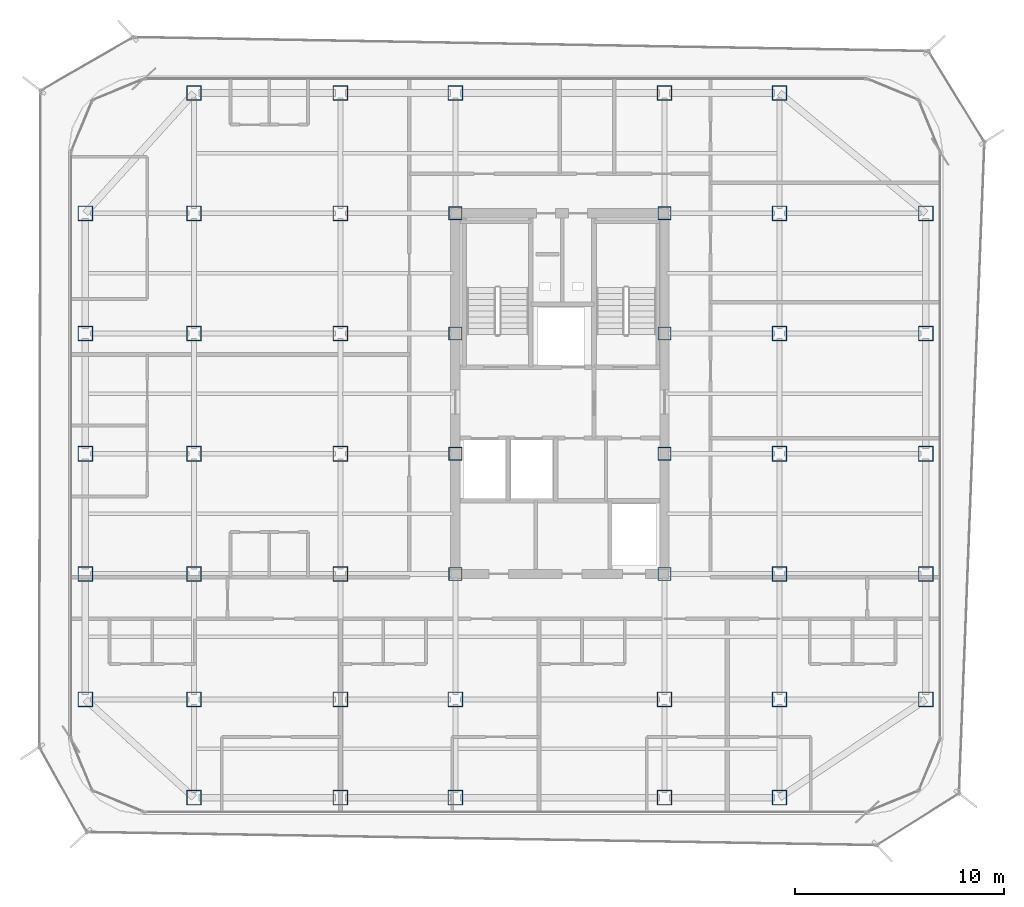
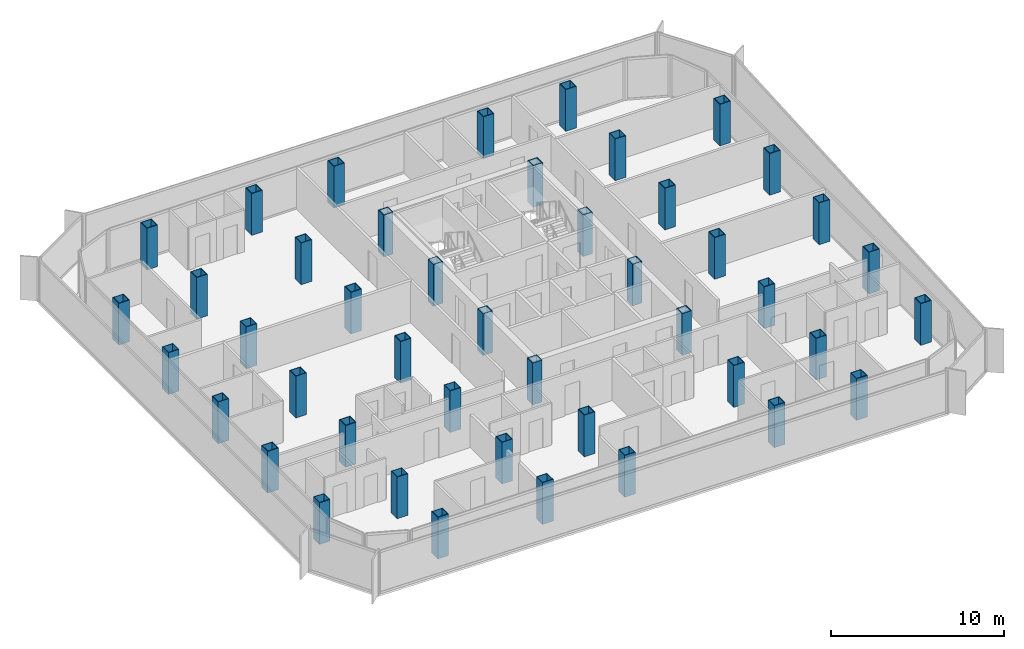
# One storey, part 1 of 16: 45 columns.
"""IFC4 building model written with IfcOpenShell, lengths in metres."""

import ifcopenshell
import ifcopenshell.guid

model = None  # the IFC model being written
_history = None  # IfcOwnerHistory: only IFC2X3 demands one
_inside = {}  # id of a spatial element -> (the spatial element, [elements in it])
_under = {}  # id of a project, library or spatial element -> (it, [spatial elements below it])
_declared = {}  # id of a project -> (the project, [libraries it declares])
_typed = {}  # id of a type object -> (the type object, [elements of that type])
_made_of = {}  # id of a material, layer set ... -> (it, [elements and type objects made of it])


def new_model(schema):
    """Start an empty IFC model of exactly this schema.

    Asked for "IFC4X3", IfcOpenShell would pick the latest addendum, in which some entities
    have other attributes; the version numbers below select the first issue.
    IFC2X3 requires an IfcOwnerHistory on every rooted entity: one is made here for all.
    """
    global model, _history
    if schema == "IFC4X3":
        model = ifcopenshell.file(schema_version=(4, 3, 0, 0))
    else:
        model = ifcopenshell.file(schema=schema)
    _inside.clear()
    _under.clear()
    _declared.clear()
    _typed.clear()
    _made_of.clear()
    _history = None
    if model.schema == "IFC2X3":
        org = make("IfcOrganization", Name="unknown")
        user = make(
            "IfcPersonAndOrganization",
            ThePerson=make("IfcPerson", FamilyName="unknown"),
            TheOrganization=org,
        )
        app = make(
            "IfcApplication",
            ApplicationDeveloper=org,
            Version="unknown",
            ApplicationFullName="unknown",
            ApplicationIdentifier="unknown",
        )
        _history = make(
            "IfcOwnerHistory",
            OwningUser=user,
            OwningApplication=app,
            ChangeAction="ADDED",
            CreationDate=0,
        )
    return model


def make(cls, **values):
    """One entity of the class cls with the attributes given. An attribute that is None is left unset."""
    return model.create_entity(
        cls, **{name: value for name, value in values.items() if value is not None}
    )


def rooted(cls, **values):
    """An entity with a GlobalId (a new one), such as an element, a storey or a relation."""
    return make(cls, GlobalId=ifcopenshell.guid.new(), OwnerHistory=_history, **values)


def si_unit(unit_type, name, prefix=None):
    """IfcSIUnit, for example si_unit("LENGTHUNIT", "METRE", prefix="MILLI")."""
    return make("IfcSIUnit", UnitType=unit_type, Prefix=prefix, Name=name)


def assignment(units):
    """IfcUnitAssignment: the units of a project."""
    return None if units is None else make("IfcUnitAssignment", Units=units)


def point(xyz):
    """IfcCartesianPoint."""
    return None if xyz is None else make("IfcCartesianPoint", Coordinates=xyz)


def direction(xyz):
    """IfcDirection."""
    return None if xyz is None else make("IfcDirection", DirectionRatios=xyz)


def frame(location, z_axis=None, x_axis=None):
    """IfcAxis2Placement3D, a coordinate frame: its origin and axes. An axis left out is left unset."""
    return make(
        "IfcAxis2Placement3D",
        Location=point(location),
        Axis=direction(z_axis),
        RefDirection=direction(x_axis),
    )


def frame_2d(location, x_axis=None):
    """IfcAxis2Placement2D, a coordinate frame in the plane: its origin and x axis."""
    return make(
        "IfcAxis2Placement2D", Location=point(location), RefDirection=direction(x_axis)
    )


def origin():
    """The frame at (0, 0, 0) with its axes left unset."""
    return frame((0.0, 0.0, 0.0))


def origin_2d():
    """The frame at (0, 0) in the plane with its x axis left unset."""
    return frame_2d((0.0, 0.0))


def place(relative_to, where):
    """IfcLocalPlacement: puts the frame where relative to a parent placement (None: the world)."""
    return make(
        "IfcLocalPlacement", PlacementRelTo=relative_to, RelativePlacement=where
    )


def context(
    kind, dimensions, precision=None, world=None, true_north=None, identifier=None
):
    """IfcGeometricRepresentationContext, for example the 3D "Model" context."""
    return make(
        "IfcGeometricRepresentationContext",
        ContextIdentifier=identifier,
        ContextType=kind,
        CoordinateSpaceDimension=dimensions,
        Precision=precision,
        WorldCoordinateSystem=world,
        TrueNorth=true_north,
    )


def subcontext(parent, identifier, kind, view, scale=None):
    """IfcGeometricRepresentationSubContext, for example "Body" below "Model"."""
    return make(
        "IfcGeometricRepresentationSubContext",
        ContextIdentifier=identifier,
        ContextType=kind,
        ParentContext=parent,
        TargetScale=scale,
        TargetView=view,
    )


def project(units=None, contexts=None):
    """IfcProject with its units and contexts."""
    return rooted(
        "IfcProject",
        Name="project",
        RepresentationContexts=contexts,
        UnitsInContext=assignment(units),
    )


def spatial(cls, under=None, at=None, **own):
    """A site, building, storey or space (cls), placed at a placement, below another one or the project."""
    s = rooted(cls, ObjectPlacement=at, **own)
    if under is not None:
        _under.setdefault(under.id(), (under, []))[1].append(s)
    return s


def profile(cls, at=None, kind="AREA", **sizes):
    """A parametric profile (cls). Its sizes go by their IFC names, for example OverallWidth=200.0."""
    return make(cls, ProfileType=kind, Position=at, **sizes)


def hollow_rectangle(**sizes):
    """IfcRectangleHollowProfileDef."""
    return profile("IfcRectangleHollowProfileDef", **sizes)


def extrude(swept, where, along, depth):
    """IfcExtrudedAreaSolid: the profile swept, set in the frame where, extruded along a direction by depth."""
    return make(
        "IfcExtrudedAreaSolid",
        SweptArea=swept,
        Position=where,
        ExtrudedDirection=direction(along),
        Depth=depth,
    )


def shape(context_of_items, identifier, shape_type, items):
    """IfcShapeRepresentation: the items that make up one representation, for example the "Body"."""
    return make(
        "IfcShapeRepresentation",
        ContextOfItems=context_of_items,
        RepresentationIdentifier=identifier,
        RepresentationType=shape_type,
        Items=items,
    )


def source(mapping_origin, context_of_items, identifier, shape_type, items):
    """IfcRepresentationMap: a shape defined once, which mapped items show again and again."""
    return make(
        "IfcRepresentationMap",
        MappingOrigin=mapping_origin,
        MappedRepresentation=shape(context_of_items, identifier, shape_type, items),
    )


def transform(
    local_origin,
    x_axis=None,
    y_axis=None,
    z_axis=None,
    scale=None,
    scale2=None,
    scale3=None,
    uniform=True,
):
    """IfcCartesianTransformationOperator3D, or its non-uniform kind. x_axis, y_axis, z_axis: its Axis1, 2, 3."""
    if uniform:
        return make(
            "IfcCartesianTransformationOperator3D",
            Axis1=direction(x_axis),
            Axis2=direction(y_axis),
            LocalOrigin=point(local_origin),
            Scale=scale,
            Axis3=direction(z_axis),
        )
    return make(
        "IfcCartesianTransformationOperator3DnonUniform",
        Axis1=direction(x_axis),
        Axis2=direction(y_axis),
        LocalOrigin=point(local_origin),
        Scale=scale,
        Axis3=direction(z_axis),
        Scale2=scale2,
        Scale3=scale3,
    )


def mapped(mapping_source, mapping_target):
    """IfcMappedItem: shows the shape of a source again, moved by a transform."""
    return make(
        "IfcMappedItem", MappingSource=mapping_source, MappingTarget=mapping_target
    )


def material(Name=None, Category=None):
    """IfcMaterial."""
    return make("IfcMaterial", Name=Name, Category=Category)


def material_profile(
    of_material, cross_section, Name=None, Category=None, Priority=None
):
    """IfcMaterialProfile: a cross section and its material."""
    return make(
        "IfcMaterialProfile",
        Name=Name,
        Material=of_material,
        Profile=cross_section,
        Priority=Priority,
        Category=Category,
    )


def profile_set(profiles, Name=None, composite=None):
    """IfcMaterialProfileSet."""
    return make(
        "IfcMaterialProfileSet",
        Name=Name,
        MaterialProfiles=profiles,
        CompositeProfile=composite,
    )


def made_of(thing, what):
    """Note that an element or type object is made of a material, layer set ...; save() writes the relation."""
    if what is not None:
        _made_of.setdefault(what.id(), (what, []))[1].append(thing)
    return thing


def type_object(cls, material=None, **own):
    """A type object (cls), such as IfcWallType, which elements share."""
    return made_of(rooted(cls, **own), material)


def element(
    cls,
    number,
    at=None,
    inside=None,
    cuts=None,
    type_object=None,
    material=None,
    context=None,
    identifier="Body",
    shape_type=None,
    held_by="IfcProductDefinitionShape",
    body=None,
    shapes=None,
    **own,
):
    """One element of the class cls, such as IfcWall. Its Tag is "e" and its number.

    at: its placement. inside: the storey or other place that contains it. cuts: it is an
    opening in that element (IfcRelVoidsElement). A single representation is given by context,
    identifier, shape_type and body (its items); several are given by shapes. held_by: the class
    of the entity that holds the representations. save() writes the other relations.
    """
    e = rooted(cls, Tag="e%d" % number, ObjectPlacement=at, **own)
    if body is not None:
        shapes = [shape(context, identifier, shape_type, body)]
    if shapes is not None:
        e.Representation = make(held_by, Representations=shapes)
    if inside is not None:
        _inside.setdefault(inside.id(), (inside, []))[1].append(e)
    if cuts is not None:
        rooted(
            "IfcRelVoidsElement", RelatingBuildingElement=cuts, RelatedOpeningElement=e
        )
    if type_object is not None:
        _typed.setdefault(type_object.id(), (type_object, []))[1].append(e)
    return made_of(e, material)


def aggregate(whole, parts):
    """IfcRelAggregates: a whole, such as a stair, and the parts it consists of."""
    return rooted("IfcRelAggregates", RelatingObject=whole, RelatedObjects=parts)


def save(model, path):
    """Write the relations noted so far, then the file.

    IfcRelAggregates (storeys below a building ...), IfcRelContainedInSpatialStructure (elements
    in a storey), IfcRelDefinesByType, IfcRelAssociatesMaterial and IfcRelDeclares: one each for
    every whole, place, type object, material and project.
    """
    for whole, parts in _under.values():
        aggregate(whole, parts)
    for where, things in _inside.values():
        rooted(
            "IfcRelContainedInSpatialStructure",
            RelatedElements=things,
            RelatingStructure=where,
        )
    for kind, things in _typed.values():
        rooted("IfcRelDefinesByType", RelatedObjects=things, RelatingType=kind)
    for what, things in _made_of.values():
        rooted("IfcRelAssociatesMaterial", RelatedObjects=things, RelatingMaterial=what)
    for by, libraries in _declared.values():
        rooted("IfcRelDeclares", RelatingContext=by, RelatedDefinitions=libraries)
    model.write(path)


model = new_model("IFC4")

# Units and contexts
model_context = context("Model", 3, precision=1e-05, world=origin(), true_north=direction((0.0, 1.0)))
body_context = subcontext(model_context, "Body", "Model", "MODEL_VIEW")
ifc_project = project(units=[si_unit("LENGTHUNIT", "METRE"), si_unit("AREAUNIT", "SQUARE_METRE"), si_unit("VOLUMEUNIT", "CUBIC_METRE"), si_unit("PLANEANGLEUNIT", "RADIAN"), si_unit("MASSUNIT", "GRAM", prefix="KILO")], contexts=[model_context])

# Site, building, storey
site_placement = place(None, origin())
site = spatial("IfcSite", under=ifc_project, at=site_placement, CompositionType="ELEMENT")
building_placement = place(site_placement, origin())
building = spatial("IfcBuilding", under=site, at=building_placement, Name="Kolveth Station Tower", CompositionType="ELEMENT")
storey_placement = place(building_placement, frame((0.0, 0.0, 206.0)))
storey = spatial("IfcBuildingStorey", under=building, at=storey_placement, Name="L58", CompositionType="ELEMENT", Elevation=206.0)

# Columns
ifc_material = material(Name="Steel S355", Category="steel")
ifc_material_profile_1 = material_profile(ifc_material, hollow_rectangle(XDim=0.719970703125, YDim=0.719970703125, WallThickness=0.0400390625, at=origin_2d()), Name="BOX720x720x40")
ifc_profile_set_1 = profile_set([ifc_material_profile_1], Name="Steel S355")
column_type_1 = type_object("IfcColumnType", Name="Col_C6", PredefinedType="COLUMN", material=ifc_profile_set_1)
shared_shape_1 = source(origin(), body_context, "Body", "SweptSolid", [
    extrude(hollow_rectangle(XDim=0.719970703125, YDim=0.719970703125, WallThickness=0.0400390625, at=origin_2d()), origin(), (0.0, 0.0, 1.0), 2.949951171875),
])
for number, where, z_axis, x_axis, name in (
    (1, (6.0, 0.800048828125, 0.0), (0.0, 0.0, 1.0), (1.0, 0.0, 0.0), "L58 Tower Column S-X60"),
    (2, (6.0, 34.5, 0.0), (0.0, 0.0, 1.0), (1.0, 0.0, 0.0), "L58 Tower Column N-X60"),
    (3, (13.0, 0.800048828125, 0.0), (0.0, 0.0, 1.0), (1.0, 0.0, 0.0), "L58 Tower Column S-X130"),
    (4, (13.0, 34.5, 0.0), (0.0, 0.0, 1.0), (1.0, 0.0, 0.0), "L58 Tower Column N-X130"),
    (5, (18.5, 0.800048828125, 0.0), (0.0, 0.0, 1.0), (1.0, 0.0, 0.0), "L58 Tower Column S-X185"),
    (6, (18.5, 34.5, 0.0), (0.0, 0.0, 1.0), (1.0, 0.0, 0.0), "L58 Tower Column N-X185"),
    (7, (28.5, 0.800048828125, 0.0), (0.0, 0.0, 1.0), (1.0, 0.0, 0.0), "L58 Tower Column S-X285"),
    (8, (28.5, 34.5, 0.0), (0.0, 0.0, 1.0), (1.0, 0.0, 0.0), "L58 Tower Column N-X285"),
    (9, (34.0, 0.800048828125, 0.0), (0.0, 0.0, 1.0), (1.0, 0.0, 0.0), "L58 Tower Column S-X340"),
    (10, (34.0, 34.5, 0.0), (0.0, 0.0, 1.0), (1.0, 0.0, 0.0), "L58 Tower Column N-X340"),
    (11, (0.800048828125, 5.5, 0.0), (0.0, 0.0, 1.0), (1.0, 0.0, 0.0), "L58 Tower Column W-Y55"),
    (12, (41.0, 5.5, 0.0), (0.0, 0.0, 1.0), (1.0, 0.0, 0.0), "L58 Tower Column E-Y55"),
    (13, (0.800048828125, 11.5, 0.0), (0.0, 0.0, 1.0), (1.0, 0.0, 0.0), "L58 Tower Column W-Y115"),
    (14, (41.0, 11.5, 0.0), (0.0, 0.0, 1.0), (1.0, 0.0, 0.0), "L58 Tower Column E-Y115"),
    (15, (0.800048828125, 17.25, 0.0), (0.0, 0.0, 1.0), (1.0, 0.0, 0.0), "L58 Tower Column W-Y172"),
    (16, (41.0, 17.25, 0.0), (0.0, 0.0, 1.0), (1.0, 0.0, 0.0), "L58 Tower Column E-Y172"),
    (17, (0.800048828125, 23.0, 0.0), (0.0, 0.0, 1.0), (1.0, 0.0, 0.0), "L58 Tower Column W-Y230"),
    (18, (41.0, 23.0, 0.0), (0.0, 0.0, 1.0), (1.0, 0.0, 0.0), "L58 Tower Column E-Y230"),
    (19, (0.800048828125, 28.75, 0.0), (0.0, 0.0, 1.0), (1.0, 0.0, 0.0), "L58 Tower Column W-Y287"),
    (20, (41.0, 28.75, 0.0), (0.0, 0.0, 1.0), (1.0, 0.0, 0.0), "L58 Tower Column E-Y287"),
    (21, (6.0, 5.5, 0.0), (0.0, 0.0, 1.0), (1.0, 0.0, 0.0), "L58 Tower Column G-60-55"),
    (22, (6.0, 11.5, 0.0), (0.0, 0.0, 1.0), (1.0, 0.0, 0.0), "L58 Tower Column G-60-115"),
    (23, (6.0, 17.25, 0.0), (0.0, 0.0, 1.0), (1.0, 0.0, 0.0), "L58 Tower Column G-60-172"),
    (24, (6.0, 23.0, 0.0), (0.0, 0.0, 1.0), (1.0, 0.0, 0.0), "L58 Tower Column G-60-230"),
    (25, (6.0, 28.75, 0.0), (0.0, 0.0, 1.0), (1.0, 0.0, 0.0), "L58 Tower Column G-60-287"),
    (26, (13.0, 5.5, 0.0), (0.0, 0.0, 1.0), (1.0, 0.0, 0.0), "L58 Tower Column G-130-55"),
    (27, (13.0, 11.5, 0.0), (0.0, 0.0, 1.0), (1.0, 0.0, 0.0), "L58 Tower Column G-130-115"),
    (28, (13.0, 17.25, 0.0), (0.0, 0.0, 1.0), (1.0, 0.0, 0.0), "L58 Tower Column G-130-172"),
    (29, (13.0, 23.0, 0.0), (0.0, 0.0, 1.0), (1.0, 0.0, 0.0), "L58 Tower Column G-130-230"),
    (30, (13.0, 28.75, 0.0), (0.0, 0.0, 1.0), (1.0, 0.0, 0.0), "L58 Tower Column G-130-287"),
    (31, (18.5, 5.5, 0.0), (0.0, 0.0, 1.0), (1.0, 0.0, 0.0), "L58 Tower Column G-185-55"),
    (32, (28.5, 5.5, 0.0), (0.0, 0.0, 1.0), (1.0, 0.0, 0.0), "L58 Tower Column G-285-55"),
    (33, (34.0, 5.5, 0.0), (0.0, 0.0, 1.0), (1.0, 0.0, 0.0), "L58 Tower Column G-340-55"),
    (34, (34.0, 11.5, 0.0), (0.0, 0.0, 1.0), (1.0, 0.0, 0.0), "L58 Tower Column G-340-115"),
    (35, (34.0, 17.25, 0.0), (0.0, 0.0, 1.0), (1.0, 0.0, 0.0), "L58 Tower Column G-340-172"),
    (36, (34.0, 23.0, 0.0), (0.0, 0.0, 1.0), (1.0, 0.0, 0.0), "L58 Tower Column G-340-230"),
    (37, (34.0, 28.75, 0.0), (0.0, 0.0, 1.0), (1.0, 0.0, 0.0), "L58 Tower Column G-340-287"),
):
    element("IfcColumn", number, at=place(storey_placement, frame(where, z_axis=z_axis, x_axis=x_axis)), inside=storey, type_object=column_type_1, Name=name, PredefinedType="COLUMN", context=body_context, shape_type="MappedRepresentation", body=[
        mapped(shared_shape_1, transform((0.0, 0.0, 0.0), x_axis=(1.0, 0.0, 0.0), y_axis=(0.0, 1.0, 0.0), z_axis=(0.0, 0.0, 1.0), scale=1.0)),
    ])
ifc_material_profile_2 = material_profile(ifc_material, hollow_rectangle(XDim=0.639892578125, YDim=0.639892578125, WallThickness=0.034912109375, at=origin_2d()), Name="BOX640x640x35")
ifc_profile_set_2 = profile_set([ifc_material_profile_2], Name="Steel S355")
column_type_2 = type_object("IfcColumnType", Name="Col_C7", PredefinedType="COLUMN", material=ifc_profile_set_2)
shared_shape_2 = source(origin(), body_context, "Body", "SweptSolid", [
    extrude(hollow_rectangle(XDim=0.639892578125, YDim=0.639892578125, WallThickness=0.034912109375, at=origin_2d()), origin(), (0.0, 0.0, 1.0), 2.949951171875),
])
for number, where, z_axis, x_axis, name in (
    (38, (18.5, 11.5, 0.0), (0.0, 0.0, 1.0), (1.0, 0.0, 0.0), "L58 Tower Column G-185-115"),
    (39, (18.5, 17.25, 0.0), (0.0, 0.0, 1.0), (1.0, 0.0, 0.0), "L58 Tower Column G-185-172"),
    (40, (18.5, 23.0, 0.0), (0.0, 0.0, 1.0), (1.0, 0.0, 0.0), "L58 Tower Column G-185-230"),
    (41, (18.5, 28.75, 0.0), (0.0, 0.0, 1.0), (1.0, 0.0, 0.0), "L58 Tower Column G-185-287"),
    (42, (28.5, 11.5, 0.0), (0.0, 0.0, 1.0), (1.0, 0.0, 0.0), "L58 Tower Column G-285-115"),
    (43, (28.5, 17.25, 0.0), (0.0, 0.0, 1.0), (1.0, 0.0, 0.0), "L58 Tower Column G-285-172"),
    (44, (28.5, 23.0, 0.0), (0.0, 0.0, 1.0), (1.0, 0.0, 0.0), "L58 Tower Column G-285-230"),
    (45, (28.5, 28.75, 0.0), (0.0, 0.0, 1.0), (1.0, 0.0, 0.0), "L58 Tower Column G-285-287"),
):
    element("IfcColumn", number, at=place(storey_placement, frame(where, z_axis=z_axis, x_axis=x_axis)), inside=storey, type_object=column_type_2, Name=name, PredefinedType="COLUMN", context=body_context, shape_type="MappedRepresentation", body=[
        mapped(shared_shape_2, transform((0.0, 0.0, 0.0), x_axis=(1.0, 0.0, 0.0), y_axis=(0.0, 1.0, 0.0), z_axis=(0.0, 0.0, 1.0), scale=1.0)),
    ])

save(model, "model.ifc")
